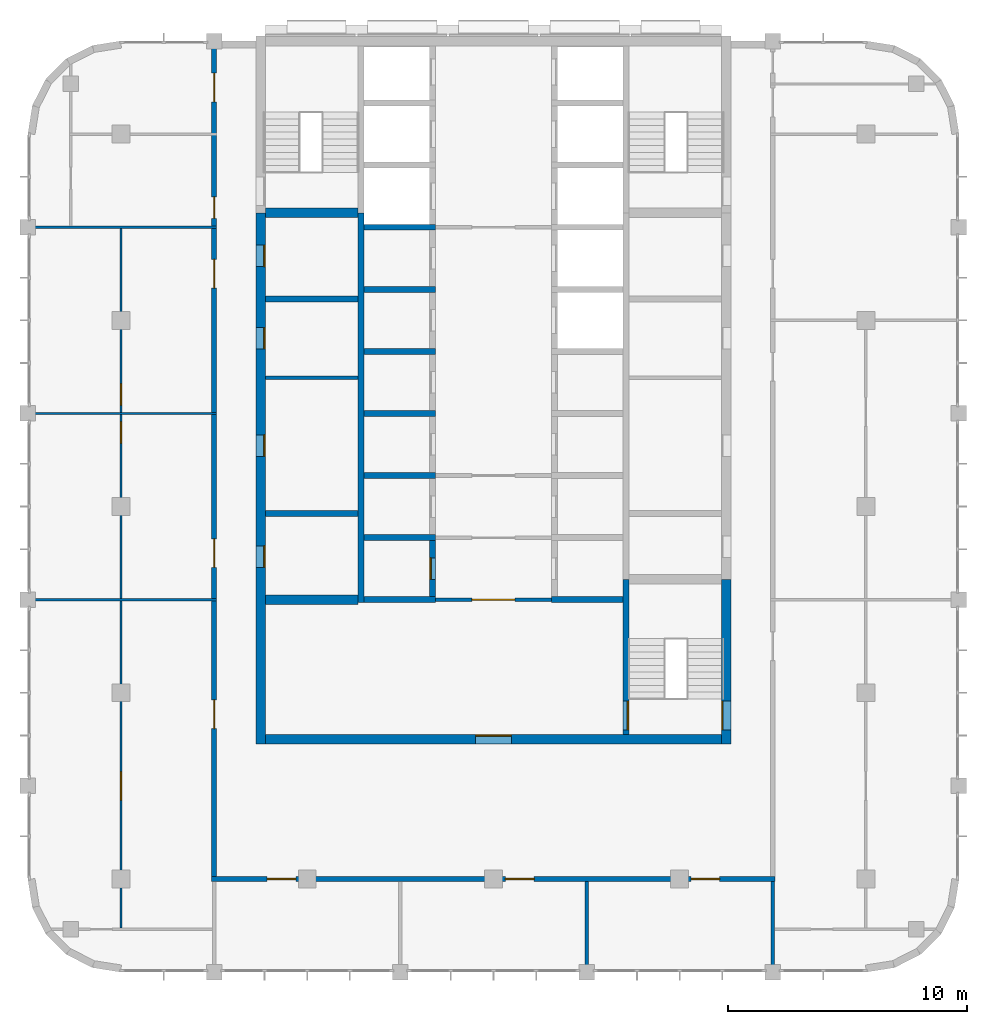
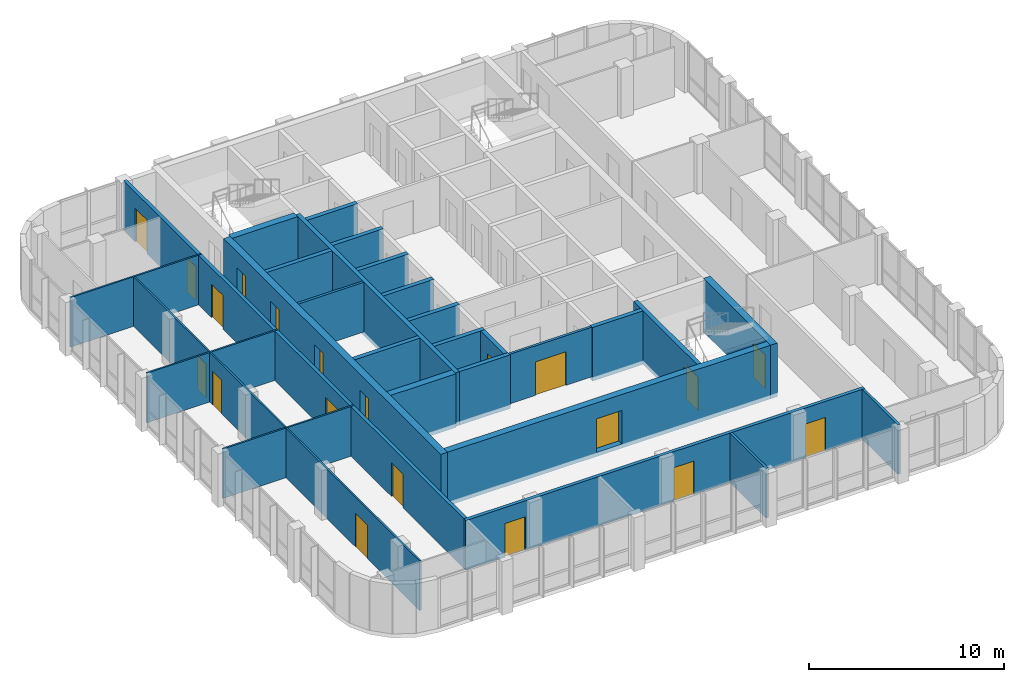
# One storey, part 9 of 17: 28 walls, 20 doors, 20 openings.
"""IFC4 building model written with IfcOpenShell, lengths in metres."""

from ifc_helpers import new_model, si_unit, direction, frame, frame_2d, origin, place, context, subcontext, project, spatial, rectangle, extrude, material, layer, layer_set, type_object, element, fill, save


model = new_model("IFC4")

# Units and contexts
model_context = context("Model", 3, precision=1e-05, world=origin(), true_north=direction((0.0, 1.0)))
body_context = subcontext(model_context, "Body", "Model", "MODEL_VIEW")
ifc_project = project(units=[si_unit("LENGTHUNIT", "METRE"), si_unit("AREAUNIT", "SQUARE_METRE"), si_unit("VOLUMEUNIT", "CUBIC_METRE"), si_unit("PLANEANGLEUNIT", "RADIAN"), si_unit("MASSUNIT", "GRAM", prefix="KILO")], contexts=[model_context])

# Site, building, storey
site_placement = place(None, origin())
site = spatial("IfcSite", under=ifc_project, at=site_placement, CompositionType="ELEMENT")
building_placement = place(site_placement, origin())
building = spatial("IfcBuilding", under=site, at=building_placement, Name="Ludao Terraces", CompositionType="ELEMENT")
storey_placement = place(building_placement, frame((0.0, 0.0, 263.0)))
storey = spatial("IfcBuildingStorey", under=building, at=storey_placement, Name="L72", CompositionType="ELEMENT", Elevation=263.0)

# Wall, openings, doors
ifc_material_1 = material(Name="Concrete C50", Category="concrete")
ifc_layer_1 = layer(ifc_material_1, 0.39990234375)
ifc_layer_set_1 = layer_set([ifc_layer_1], Name="Core wall 400 C50")
wall_type_1 = type_object("IfcWallType", Name="Core wall 400 C50", PredefinedType="SOLIDWALL", material=ifc_layer_set_1)
wall_1_placement = place(storey_placement, frame((75.25, 55.050048828125, -0.25), z_axis=(0.0, 0.0, 1.0), x_axis=(0.0, 1.0, 0.0)))
wall_1 = element("IfcWall", 1, at=wall_1_placement, inside=storey, type_object=wall_type_1, Name="Core wall L72 outer-W", PredefinedType="SOLIDWALL", context=body_context, shape_type="SweptSolid", body=[
    extrude(rectangle(XDim=22.25, YDim=0.39990234375, at=frame_2d((11.125, 0.0))), origin(), (0.0, 0.0, 1.0), 3.35009765625),
])
opening_1_placement = place(wall_1_placement, frame((7.39990234375, 0.0, 0.25)))
opening_1 = element("IfcOpeningElement", 2, at=opening_1_placement, cuts=wall_1, Name="Opening T1-016", PredefinedType="OPENING", context=body_context, shape_type="SweptSolid", body=[
    extrude(rectangle(XDim=0.89990234375, YDim=2.10009765625, at=frame_2d((0.449951171875, 1.050048828125))), frame((0.0, 0.2099609375, 0.0), z_axis=(0.0, -1.0, 0.0), x_axis=(1.0, 0.0, 0.0)), (0.0, 0.0, 1.0), 0.419921875),
])
opening_2_placement = place(wall_1_placement, frame((12.050048828125, 0.0, 0.25)))
opening_2 = element("IfcOpeningElement", 3, at=opening_2_placement, cuts=wall_1, Name="Opening T1-023", PredefinedType="OPENING", context=body_context, shape_type="SweptSolid", body=[
    extrude(rectangle(XDim=0.89990234375, YDim=2.10009765625, at=frame_2d((0.449951171875, 1.050048828125))), frame((0.0, 0.2099609375, 0.0), z_axis=(0.0, -1.0, 0.0), x_axis=(1.0, 0.0, 0.0)), (0.0, 0.0, 1.0), 0.419921875),
])
opening_3_placement = place(wall_1_placement, frame((16.550048828125, 0.0, 0.25)))
opening_3 = element("IfcOpeningElement", 4, at=opening_3_placement, cuts=wall_1, Name="Opening T1-033", PredefinedType="OPENING", context=body_context, shape_type="SweptSolid", body=[
    extrude(rectangle(XDim=0.89990234375, YDim=2.10009765625, at=frame_2d((0.449951171875, 1.050048828125))), frame((0.0, 0.2099609375, 0.0), z_axis=(0.0, -1.0, 0.0), x_axis=(1.0, 0.0, 0.0)), (0.0, 0.0, 1.0), 0.419921875),
])
opening_4_placement = place(wall_1_placement, frame((20.0, 0.0, 0.25)))
opening_4 = element("IfcOpeningElement", 5, at=opening_4_placement, cuts=wall_1, Name="Opening T1-041", PredefinedType="OPENING", context=body_context, shape_type="SweptSolid", body=[
    extrude(rectangle(XDim=0.89990234375, YDim=2.10009765625, at=frame_2d((0.449951171875, 1.050048828125))), frame((0.0, 0.2099609375, 0.0), z_axis=(0.0, -1.0, 0.0), x_axis=(1.0, 0.0, 0.0)), (0.0, 0.0, 1.0), 0.419921875),
])
ifc_material_2 = material(Name="Steel Q235", Category="steel")
door_type_1 = type_object("IfcDoorType", Name="INT Riser door 900", OperationType="SINGLE_SWING_LEFT", PredefinedType="DOOR", material=ifc_material_2)
door_1_placement = place(opening_1_placement, origin())
door_1 = element("IfcDoor", 6, at=door_1_placement, inside=storey, type_object=door_type_1, Name="DOOR 016", OperationType="SINGLE_SWING_RIGHT", OverallHeight=2.10009765625, OverallWidth=0.89990234375, PredefinedType="DOOR", context=body_context, shape_type="SweptSolid", body=[
    extrude(rectangle(XDim=0.89990234375, YDim=2.10009765625, at=frame_2d((0.449951171875, 1.050048828125))), frame((0.0, -0.134765625, 0.0), z_axis=(0.0, -1.0, 0.0), x_axis=(1.0, 0.0, 0.0)), (0.0, 0.0, 1.0), 0.050048828125),
])
fill(opening_1, door_1)
door_2_placement = place(opening_4_placement, origin())
door_2 = element("IfcDoor", 7, at=door_2_placement, inside=storey, type_object=door_type_1, Name="DOOR 041", OperationType="SINGLE_SWING_LEFT", OverallHeight=2.10009765625, OverallWidth=0.89990234375, PredefinedType="DOOR", context=body_context, shape_type="SweptSolid", body=[
    extrude(rectangle(XDim=0.89990234375, YDim=2.10009765625, at=frame_2d((0.449951171875, 1.050048828125))), frame((0.0, -0.134765625, 0.0), z_axis=(0.0, -1.0, 0.0), x_axis=(1.0, 0.0, 0.0)), (0.0, 0.0, 1.0), 0.050048828125),
])
fill(opening_4, door_2)
ifc_material_3 = material(Name="Timber door leaf", Category="wood")
door_type_2 = type_object("IfcDoorType", Name="INT Room door 900", OperationType="SINGLE_SWING_LEFT", PredefinedType="DOOR", material=ifc_material_3)
door_3_placement = place(opening_2_placement, origin())
door_3 = element("IfcDoor", 8, at=door_3_placement, inside=storey, type_object=door_type_2, Name="DOOR 023", OperationType="SINGLE_SWING_RIGHT", OverallHeight=2.10009765625, OverallWidth=0.89990234375, PredefinedType="DOOR", context=body_context, shape_type="SweptSolid", body=[
    extrude(rectangle(XDim=0.89990234375, YDim=2.10009765625, at=frame_2d((0.449951171875, 1.050048828125))), frame((0.0, -0.134765625, 0.0), z_axis=(0.0, -1.0, 0.0), x_axis=(1.0, 0.0, 0.0)), (0.0, 0.0, 1.0), 0.050048828125),
])
fill(opening_2, door_3)
door_4_placement = place(opening_3_placement, origin())
door_4 = element("IfcDoor", 9, at=door_4_placement, inside=storey, type_object=door_type_2, Name="DOOR 033", OperationType="SINGLE_SWING_LEFT", OverallHeight=2.10009765625, OverallWidth=0.89990234375, PredefinedType="DOOR", context=body_context, shape_type="SweptSolid", body=[
    extrude(rectangle(XDim=0.89990234375, YDim=2.10009765625, at=frame_2d((0.449951171875, 1.050048828125))), frame((0.0, -0.134765625, 0.0), z_axis=(0.0, -1.0, 0.0), x_axis=(1.0, 0.0, 0.0)), (0.0, 0.0, 1.0), 0.050048828125),
])
fill(opening_3, door_4)

# Wall, opening, door
wall_2_placement = place(storey_placement, frame((94.75, 55.050048828125, -0.25), z_axis=(0.0, 0.0, 1.0), x_axis=(0.0, 1.0, 0.0)))
wall_2 = element("IfcWall", 10, at=wall_2_placement, inside=storey, type_object=wall_type_1, Name="Core wall L72 outer-E-S3", PredefinedType="SOLIDWALL", context=body_context, shape_type="SweptSolid", body=[
    extrude(rectangle(XDim=6.89990234375, YDim=0.39990234375, at=frame_2d((3.449951171875, 0.0))), origin(), (0.0, 0.0, 1.0), 3.35009765625),
])
opening_5_placement = place(wall_2_placement, frame((0.60009765625, 0.0, 0.25)))
opening_5 = element("IfcOpeningElement", 11, at=opening_5_placement, cuts=wall_2, Name="Opening T1-010", PredefinedType="OPENING", context=body_context, shape_type="SweptSolid", body=[
    extrude(rectangle(XDim=1.199951171875, YDim=2.10009765625, at=frame_2d((0.60009765625, 1.050048828125))), frame((0.0, 0.2099609375, 0.0), z_axis=(0.0, -1.0, 0.0), x_axis=(1.0, 0.0, 0.0)), (0.0, 0.0, 1.0), 0.419921875),
])
door_type_3 = type_object("IfcDoorType", Name="INT Stair door 1200", OperationType="DOUBLE_DOOR_SINGLE_SWING", PredefinedType="DOOR", material=ifc_material_2)
door_5_placement = place(opening_5_placement, origin())
door_5 = element("IfcDoor", 12, at=door_5_placement, inside=storey, type_object=door_type_3, Name="DOOR 010", OperationType="DOUBLE_DOOR_SINGLE_SWING", OverallHeight=2.10009765625, OverallWidth=1.199951171875, PredefinedType="DOOR", context=body_context, shape_type="SweptSolid", body=[
    extrude(rectangle(XDim=1.199951171875, YDim=2.10009765625, at=frame_2d((0.60009765625, 1.050048828125))), frame((0.0, 0.18505859375, 0.0), z_axis=(0.0, -1.0, 0.0), x_axis=(1.0, 0.0, 0.0)), (0.0, 0.0, 1.0), 0.050048828125),
])
fill(opening_5, door_5)

wall_3_placement = place(storey_placement, frame((75.449951171875, 55.25, -0.25), z_axis=(0.0, 0.0, 1.0), x_axis=(1.0, 0.0, 0.0)))
wall_3 = element("IfcWall", 13, at=wall_3_placement, inside=storey, type_object=wall_type_1, Name="Core wall L72 outer-S", PredefinedType="SOLIDWALL", context=body_context, shape_type="SweptSolid", body=[
    extrude(rectangle(XDim=19.10009765625, YDim=0.39990234375, at=frame_2d((9.550048828125, 0.0))), origin(), (0.0, 0.0, 1.0), 3.35009765625),
])
opening_6_placement = place(wall_3_placement, frame((8.800048828125, 0.0, 0.25)))
opening_6 = element("IfcOpeningElement", 14, at=opening_6_placement, cuts=wall_3, Name="Opening T1-008", PredefinedType="OPENING", context=body_context, shape_type="SweptSolid", body=[
    extrude(rectangle(XDim=1.5, YDim=2.10009765625, at=frame_2d((0.75, 1.050048828125))), frame((0.0, 0.2099609375, 0.0), z_axis=(0.0, -1.0, 0.0), x_axis=(1.0, 0.0, 0.0)), (0.0, 0.0, 1.0), 0.419921875),
])
door_type_4 = type_object("IfcDoorType", Name="INT Lobby door 1500", OperationType="DOUBLE_DOOR_SINGLE_SWING", PredefinedType="DOOR", material=ifc_material_2)
door_6_placement = place(opening_6_placement, origin())
door_6 = element("IfcDoor", 15, at=door_6_placement, inside=storey, type_object=door_type_4, Name="DOOR 008", OperationType="DOUBLE_DOOR_SINGLE_SWING", OverallHeight=2.10009765625, OverallWidth=1.5, PredefinedType="DOOR", context=body_context, shape_type="SweptSolid", body=[
    extrude(rectangle(XDim=1.5, YDim=2.10009765625, at=frame_2d((0.75, 1.050048828125))), frame((0.0, 0.18505859375, 0.0), z_axis=(0.0, -1.0, 0.0), x_axis=(1.0, 0.0, 0.0)), (0.0, 0.0, 1.0), 0.050048828125),
])
fill(opening_6, door_6)

ifc_material_4 = material(Name="Fire-rated gypsum plasterboard", Category="gypsum")
ifc_layer_2 = layer(ifc_material_4, 0.012451171875, Category="gypsum")
ifc_material_5 = material(Name="Mineral wool")
ifc_layer_3 = layer(ifc_material_5, 0.10009765625, Name="insulation")
ifc_layer_4 = layer(ifc_material_2, 0.02490234375, Name="stud")
ifc_layer_5 = layer(ifc_material_4, 0.012451171875, Category="gypsum")
ifc_layer_set_2 = layer_set([ifc_layer_2, ifc_layer_3, ifc_layer_4, ifc_layer_5], Name="INT Core partition 150")
wall_type_2 = type_object("IfcWallType", Name="INT Core partition 150", PredefinedType="PARTITIONING", material=ifc_layer_set_2)
wall_4_placement = place(storey_placement, frame((82.5751953125, 61.10009765625, 0.0), z_axis=(0.0, 0.0, 1.0), x_axis=(1.0, 0.0, 0.0)))
wall_4 = element("IfcWall", 16, at=wall_4_placement, inside=storey, type_object=wall_type_2, Name="PW-L72-PW004", PredefinedType="PARTITIONING", context=body_context, shape_type="SweptSolid", body=[
    extrude(rectangle(XDim=4.849853515625, YDim=0.14990234375, at=frame_2d((2.4248046875, 0.0))), origin(), (0.0, 0.0, 1.0), 3.10009765625),
])
opening_7_placement = place(wall_4_placement, frame((1.52490234375, 0.0, 0.0)))
opening_7 = element("IfcOpeningElement", 17, at=opening_7_placement, cuts=wall_4, Name="Opening T1-013", PredefinedType="OPENING", context=body_context, shape_type="SweptSolid", body=[
    extrude(rectangle(XDim=1.800048828125, YDim=2.10009765625, at=frame_2d((0.89990234375, 1.050048828125))), frame((0.0, 0.0849609375, 0.0), z_axis=(0.0, -1.0, 0.0), x_axis=(1.0, 0.0, 0.0)), (0.0, 0.0, 1.0), 0.169921875),
])
door_type_5 = type_object("IfcDoorType", Name="INT Fire lobby door 1800", OperationType="DOUBLE_DOOR_SINGLE_SWING", PredefinedType="DOOR", material=ifc_material_2)
door_7_placement = place(opening_7_placement, origin())
door_7 = element("IfcDoor", 18, at=door_7_placement, inside=storey, type_object=door_type_5, Name="DOOR 013", OperationType="DOUBLE_DOOR_SINGLE_SWING", OverallHeight=2.10009765625, OverallWidth=1.800048828125, PredefinedType="DOOR", context=body_context, shape_type="SweptSolid", body=[
    extrude(rectangle(XDim=1.800048828125, YDim=2.10009765625, at=frame_2d((0.89990234375, 1.050048828125))), frame((0.0, 0.02490234375, 0.0), z_axis=(0.0, -1.0, 0.0), x_axis=(1.0, 0.0, 0.0)), (0.0, 0.0, 1.0), 0.050048828125),
])
fill(opening_7, door_7)

# Wall
wall_5_placement = place(storey_placement, frame((75.4501953125, 70.39990234375, 0.0), z_axis=(0.0, 0.0, 1.0), x_axis=(1.0, 0.0, 0.0)))
element("IfcWall", 19, at=wall_5_placement, inside=storey, type_object=wall_type_2, Name="PW-L72-PW009", PredefinedType="PARTITIONING", context=body_context, shape_type="SweptSolid", body=[
    extrude(rectangle(XDim=3.875, YDim=0.14990234375, at=frame_2d((1.9375, 0.0))), origin(), (0.0, 0.0, 1.0), 3.10009765625),
])

# Wall, openings, doors
ifc_material_6 = material(Name="Autoclaved aerated concrete block B06 A3.5", Category="concrete")
ifc_layer_6 = layer(ifc_material_6, 0.199951171875)
ifc_layer_set_3 = layer_set([ifc_layer_6], Name="INT Entrance wall 200")
wall_type_3 = type_object("IfcWallType", Name="INT Entrance wall 200", PredefinedType="PARTITIONING", material=ifc_layer_set_3)
wall_6_placement = place(storey_placement, frame((73.2001953125, 49.39990234375, 0.0), z_axis=(0.0, 0.0, 1.0), x_axis=(1.0, 0.0, 0.0)))
wall_6 = element("IfcWall", 20, at=wall_6_placement, inside=storey, type_object=wall_type_3, Name="PW-L72-PW002", PredefinedType="PARTITIONING", context=body_context, shape_type="SweptSolid", body=[
    extrude(rectangle(XDim=23.599853515625, YDim=0.199951171875, at=frame_2d((11.7998046875, 0.0))), origin(), (0.0, 0.0, 1.0), 3.10009765625),
])
opening_8_placement = place(wall_6_placement, frame((2.324951171875, 0.0, 0.0)))
opening_8 = element("IfcOpeningElement", 21, at=opening_8_placement, cuts=wall_6, Name="Opening T1-003", PredefinedType="OPENING", context=body_context, shape_type="SweptSolid", body=[
    extrude(rectangle(XDim=1.199951171875, YDim=2.10009765625, at=frame_2d((0.60009765625, 1.050048828125))), frame((0.0, 0.10986328125, 0.0), z_axis=(0.0, -1.0, 0.0), x_axis=(1.0, 0.0, 0.0)), (0.0, 0.0, 1.0), 0.219970703125),
])
opening_9_placement = place(wall_6_placement, frame((12.2998046875, 0.0, 0.0)))
opening_9 = element("IfcOpeningElement", 22, at=opening_9_placement, cuts=wall_6, Name="Opening T1-004", PredefinedType="OPENING", context=body_context, shape_type="SweptSolid", body=[
    extrude(rectangle(XDim=1.199951171875, YDim=2.10009765625, at=frame_2d((0.60009765625, 1.050048828125))), frame((0.0, 0.10986328125, 0.0), z_axis=(0.0, -1.0, 0.0), x_axis=(1.0, 0.0, 0.0)), (0.0, 0.0, 1.0), 0.219970703125),
])
opening_10_placement = place(wall_6_placement, frame((20.074951171875, 0.0, 0.0)))
opening_10 = element("IfcOpeningElement", 23, at=opening_10_placement, cuts=wall_6, Name="Opening T1-005", PredefinedType="OPENING", context=body_context, shape_type="SweptSolid", body=[
    extrude(rectangle(XDim=1.199951171875, YDim=2.10009765625, at=frame_2d((0.60009765625, 1.050048828125))), frame((0.0, 0.10986328125, 0.0), z_axis=(0.0, -1.0, 0.0), x_axis=(1.0, 0.0, 0.0)), (0.0, 0.0, 1.0), 0.219970703125),
])
door_type_6 = type_object("IfcDoorType", Name="INT Double door 1200", OperationType="DOUBLE_DOOR_SINGLE_SWING", PredefinedType="DOOR", material=ifc_material_3)
door_8_placement = place(opening_8_placement, origin())
door_8 = element("IfcDoor", 24, at=door_8_placement, inside=storey, type_object=door_type_6, Name="DOOR 003", OperationType="DOUBLE_DOOR_SINGLE_SWING", OverallHeight=2.10009765625, OverallWidth=1.199951171875, PredefinedType="DOOR", context=body_context, shape_type="SweptSolid", body=[
    extrude(rectangle(XDim=1.199951171875, YDim=2.10009765625, at=frame_2d((0.60009765625, 1.050048828125))), frame((0.0, 0.02490234375, 0.0), z_axis=(0.0, -1.0, 0.0), x_axis=(1.0, 0.0, 0.0)), (0.0, 0.0, 1.0), 0.050048828125),
])
fill(opening_8, door_8)
door_9_placement = place(opening_9_placement, origin())
door_9 = element("IfcDoor", 25, at=door_9_placement, inside=storey, type_object=door_type_6, Name="DOOR 004", OperationType="DOUBLE_DOOR_SINGLE_SWING", OverallHeight=2.10009765625, OverallWidth=1.199951171875, PredefinedType="DOOR", context=body_context, shape_type="SweptSolid", body=[
    extrude(rectangle(XDim=1.199951171875, YDim=2.10009765625, at=frame_2d((0.60009765625, 1.050048828125))), frame((0.0, 0.02490234375, 0.0), z_axis=(0.0, -1.0, 0.0), x_axis=(1.0, 0.0, 0.0)), (0.0, 0.0, 1.0), 0.050048828125),
])
fill(opening_9, door_9)
door_10_placement = place(opening_10_placement, origin())
door_10 = element("IfcDoor", 26, at=door_10_placement, inside=storey, type_object=door_type_6, Name="DOOR 005", OperationType="DOUBLE_DOOR_SINGLE_SWING", OverallHeight=2.10009765625, OverallWidth=1.199951171875, PredefinedType="DOOR", context=body_context, shape_type="SweptSolid", body=[
    extrude(rectangle(XDim=1.199951171875, YDim=2.10009765625, at=frame_2d((0.60009765625, 1.050048828125))), frame((0.0, 0.02490234375, 0.0), z_axis=(0.0, -1.0, 0.0), x_axis=(1.0, 0.0, 0.0)), (0.0, 0.0, 1.0), 0.050048828125),
])
fill(opening_10, door_10)

wall_7_placement = place(storey_placement, frame((73.300048828125, 49.5, 0.0), z_axis=(0.0, 0.0, 1.0), x_axis=(0.0, 1.0, 0.0)))
wall_7 = element("IfcWall", 27, at=wall_7_placement, inside=storey, type_object=wall_type_3, Name="PW-L72-PW020", PredefinedType="PARTITIONING", context=body_context, shape_type="SweptSolid", body=[
    extrude(rectangle(XDim=34.864990234375, YDim=0.199951171875, at=frame_2d((17.4326171875, 0.0))), origin(), (0.0, 0.0, 1.0), 3.10009765625),
])
opening_11_placement = place(wall_7_placement, frame((6.2001953125, 0.0, 0.0)))
opening_11 = element("IfcOpeningElement", 28, at=opening_11_placement, cuts=wall_7, Name="Opening T1-011", PredefinedType="OPENING", context=body_context, shape_type="SweptSolid", body=[
    extrude(rectangle(XDim=1.199951171875, YDim=2.10009765625, at=frame_2d((0.60009765625, 1.050048828125))), frame((0.0, 0.10986328125, 0.0), z_axis=(0.0, -1.0, 0.0), x_axis=(1.0, 0.0, 0.0)), (0.0, 0.0, 1.0), 0.219970703125),
])
opening_12_placement = place(wall_7_placement, frame((12.9501953125, 0.0, 0.0)))
opening_12 = element("IfcOpeningElement", 29, at=opening_12_placement, cuts=wall_7, Name="Opening T1-017", PredefinedType="OPENING", context=body_context, shape_type="SweptSolid", body=[
    extrude(rectangle(XDim=1.199951171875, YDim=2.10009765625, at=frame_2d((0.60009765625, 1.050048828125))), frame((0.0, 0.10986328125, 0.0), z_axis=(0.0, -1.0, 0.0), x_axis=(1.0, 0.0, 0.0)), (0.0, 0.0, 1.0), 0.219970703125),
])
opening_13_placement = place(wall_7_placement, frame((24.650146484375, 0.0, 0.0)))
opening_13 = element("IfcOpeningElement", 30, at=opening_13_placement, cuts=wall_7, Name="Opening T1-037", PredefinedType="OPENING", context=body_context, shape_type="SweptSolid", body=[
    extrude(rectangle(XDim=1.199951171875, YDim=2.10009765625, at=frame_2d((0.60009765625, 1.050048828125))), frame((0.0, 0.10986328125, 0.0), z_axis=(0.0, -1.0, 0.0), x_axis=(1.0, 0.0, 0.0)), (0.0, 0.0, 1.0), 0.219970703125),
])
opening_14_placement = place(wall_7_placement, frame((27.5712890625, 0.0, 0.0)))
opening_14 = element("IfcOpeningElement", 31, at=opening_14_placement, cuts=wall_7, Name="Opening T1-044", PredefinedType="OPENING", context=body_context, shape_type="SweptSolid", body=[
    extrude(rectangle(XDim=0.89990234375, YDim=2.10009765625, at=frame_2d((0.449951171875, 1.050048828125))), frame((0.0, 0.10986328125, 0.0), z_axis=(0.0, -1.0, 0.0), x_axis=(1.0, 0.0, 0.0)), (0.0, 0.0, 1.0), 0.219970703125),
])
opening_15_placement = place(wall_7_placement, frame((32.4501953125, 0.0, 0.0)))
opening_15 = element("IfcOpeningElement", 32, at=opening_15_placement, cuts=wall_7, Name="Opening T1-053", PredefinedType="OPENING", context=body_context, shape_type="SweptSolid", body=[
    extrude(rectangle(XDim=1.199951171875, YDim=2.10009765625, at=frame_2d((0.60009765625, 1.050048828125))), frame((0.0, 0.10986328125, 0.0), z_axis=(0.0, -1.0, 0.0), x_axis=(1.0, 0.0, 0.0)), (0.0, 0.0, 1.0), 0.219970703125),
])
door_11_placement = place(opening_11_placement, origin())
door_11 = element("IfcDoor", 33, at=door_11_placement, inside=storey, type_object=door_type_6, Name="DOOR 011", OperationType="DOUBLE_DOOR_SINGLE_SWING", OverallHeight=2.10009765625, OverallWidth=1.199951171875, PredefinedType="DOOR", context=body_context, shape_type="SweptSolid", body=[
    extrude(rectangle(XDim=1.199951171875, YDim=2.10009765625, at=frame_2d((0.60009765625, 1.050048828125))), frame((0.0, 0.02490234375, 0.0), z_axis=(0.0, -1.0, 0.0), x_axis=(1.0, 0.0, 0.0)), (0.0, 0.0, 1.0), 0.050048828125),
])
fill(opening_11, door_11)
door_12_placement = place(opening_12_placement, origin())
door_12 = element("IfcDoor", 34, at=door_12_placement, inside=storey, type_object=door_type_6, Name="DOOR 017", OperationType="DOUBLE_DOOR_SINGLE_SWING", OverallHeight=2.10009765625, OverallWidth=1.199951171875, PredefinedType="DOOR", context=body_context, shape_type="SweptSolid", body=[
    extrude(rectangle(XDim=1.199951171875, YDim=2.10009765625, at=frame_2d((0.60009765625, 1.050048828125))), frame((0.0, 0.02490234375, 0.0), z_axis=(0.0, -1.0, 0.0), x_axis=(1.0, 0.0, 0.0)), (0.0, 0.0, 1.0), 0.050048828125),
])
fill(opening_12, door_12)
door_13_placement = place(opening_13_placement, origin())
door_13 = element("IfcDoor", 35, at=door_13_placement, inside=storey, type_object=door_type_6, Name="DOOR 037", OperationType="DOUBLE_DOOR_SINGLE_SWING", OverallHeight=2.10009765625, OverallWidth=1.199951171875, PredefinedType="DOOR", context=body_context, shape_type="SweptSolid", body=[
    extrude(rectangle(XDim=1.199951171875, YDim=2.10009765625, at=frame_2d((0.60009765625, 1.050048828125))), frame((0.0, 0.02490234375, 0.0), z_axis=(0.0, -1.0, 0.0), x_axis=(1.0, 0.0, 0.0)), (0.0, 0.0, 1.0), 0.050048828125),
])
fill(opening_13, door_13)
door_14_placement = place(opening_15_placement, origin())
door_14 = element("IfcDoor", 36, at=door_14_placement, inside=storey, type_object=door_type_6, Name="DOOR 053", OperationType="DOUBLE_DOOR_SINGLE_SWING", OverallHeight=2.10009765625, OverallWidth=1.199951171875, PredefinedType="DOOR", context=body_context, shape_type="SweptSolid", body=[
    extrude(rectangle(XDim=1.199951171875, YDim=2.10009765625, at=frame_2d((0.60009765625, 1.050048828125))), frame((0.0, 0.02490234375, 0.0), z_axis=(0.0, -1.0, 0.0), x_axis=(1.0, 0.0, 0.0)), (0.0, 0.0, 1.0), 0.050048828125),
])
fill(opening_15, door_14)
door_15_placement = place(opening_14_placement, origin())
door_15 = element("IfcDoor", 37, at=door_15_placement, inside=storey, type_object=door_type_2, Name="DOOR 044", OperationType="SINGLE_SWING_LEFT", OverallHeight=2.10009765625, OverallWidth=0.89990234375, PredefinedType="DOOR", context=body_context, shape_type="SweptSolid", body=[
    extrude(rectangle(XDim=0.89990234375, YDim=2.10009765625, at=frame_2d((0.449951171875, 1.050048828125))), frame((0.0, 0.02490234375, 0.0), z_axis=(0.0, -1.0, 0.0), x_axis=(1.0, 0.0, 0.0)), (0.0, 0.0, 1.0), 0.050048828125),
])
fill(opening_14, door_15)

# Walls
ifc_material_7 = material(Name="Gypsum plasterboard", Category="gypsum")
ifc_layer_7 = layer(ifc_material_7, 0.012451171875, Category="gypsum")
ifc_layer_8 = layer(ifc_material_5, 0.06005859375, Name="insulation")
ifc_layer_9 = layer(ifc_material_2, 0.014892578125, Name="stud")
ifc_layer_10 = layer(ifc_material_7, 0.012451171875, Category="gypsum")
ifc_layer_set_4 = layer_set([ifc_layer_7, ifc_layer_8, ifc_layer_9, ifc_layer_10], Name="INT Partition 100")
wall_type_4 = type_object("IfcWallType", Name="INT Partition 100", PredefinedType="PARTITIONING", material=ifc_layer_set_4)
for number, where, z_axis, x_axis, name in (
    (38, (65.635009765625, 61.10009765625, 0.0), (0.0, 0.0, 1.0), (1.0, 0.0, 0.0), "PW-L72-PW003"),
    (39, (65.635009765625, 68.89990234375, 0.0), (0.0, 0.0, 1.0), (1.0, 0.0, 0.0), "PW-L72-PW008"),
    (40, (65.635009765625, 76.699951171875, 0.0), (0.0, 0.0, 1.0), (1.0, 0.0, 0.0), "PW-L72-PW012"),
):
    element("IfcWall", number, at=place(storey_placement, frame(where, z_axis=z_axis, x_axis=x_axis)), inside=storey, type_object=wall_type_4, Name=name, PredefinedType="PARTITIONING", context=body_context, shape_type="SweptSolid", body=[
        extrude(rectangle(XDim=7.76513671875, YDim=0.10009765625, at=frame_2d((3.882568359375, 0.0))), origin(), (0.0, 0.0, 1.0), 3.10009765625),
    ])

# Wall, openings, doors
wall_8_placement = place(storey_placement, frame((69.39990234375, 47.35009765625, 0.0), z_axis=(0.0, 0.0, 1.0), x_axis=(0.0, 1.0, 0.0)))
wall_8 = element("IfcWall", 41, at=wall_8_placement, inside=storey, type_object=wall_type_4, Name="PW-L72-PW018", PredefinedType="PARTITIONING", context=body_context, shape_type="SweptSolid", body=[
    extrude(rectangle(XDim=29.300048828125, YDim=0.10009765625, at=frame_2d((14.64990234375, 0.0))), origin(), (0.0, 0.0, 1.0), 3.10009765625),
])
opening_16_placement = place(wall_8_placement, frame((5.35009765625, 0.0, 0.0)))
opening_16 = element("IfcOpeningElement", 42, at=opening_16_placement, cuts=wall_8, Name="Opening T1-006", PredefinedType="OPENING", context=body_context, shape_type="SweptSolid", body=[
    extrude(rectangle(XDim=1.199951171875, YDim=2.10009765625, at=frame_2d((0.60009765625, 1.050048828125))), frame((0.0, 0.06005859375, 0.0), z_axis=(0.0, -1.0, 0.0), x_axis=(1.0, 0.0, 0.0)), (0.0, 0.0, 1.0), 0.1201171875),
])
opening_17_placement = place(wall_8_placement, frame((20.300048828125, 0.0, 0.0)))
opening_17 = element("IfcOpeningElement", 43, at=opening_17_placement, cuts=wall_8, Name="Opening T1-027", PredefinedType="OPENING", context=body_context, shape_type="SweptSolid", body=[
    extrude(rectangle(XDim=0.89990234375, YDim=2.10009765625, at=frame_2d((0.449951171875, 1.050048828125))), frame((0.0, 0.06005859375, 0.0), z_axis=(0.0, -1.0, 0.0), x_axis=(1.0, 0.0, 0.0)), (0.0, 0.0, 1.0), 0.1201171875),
])
opening_18_placement = place(wall_8_placement, frame((21.89990234375, 0.0, 0.0)))
opening_18 = element("IfcOpeningElement", 44, at=opening_18_placement, cuts=wall_8, Name="Opening T1-029", PredefinedType="OPENING", context=body_context, shape_type="SweptSolid", body=[
    extrude(rectangle(XDim=0.89990234375, YDim=2.10009765625, at=frame_2d((0.449951171875, 1.050048828125))), frame((0.0, 0.06005859375, 0.0), z_axis=(0.0, -1.0, 0.0), x_axis=(1.0, 0.0, 0.0)), (0.0, 0.0, 1.0), 0.1201171875),
])
door_16_placement = place(opening_16_placement, origin())
door_16 = element("IfcDoor", 45, at=door_16_placement, inside=storey, type_object=door_type_6, Name="DOOR 006", OperationType="DOUBLE_DOOR_SINGLE_SWING", OverallHeight=2.10009765625, OverallWidth=1.199951171875, PredefinedType="DOOR", context=body_context, shape_type="SweptSolid", body=[
    extrude(rectangle(XDim=1.199951171875, YDim=2.10009765625, at=frame_2d((0.60009765625, 1.050048828125))), frame((0.0, 0.02490234375, 0.0), z_axis=(0.0, -1.0, 0.0), x_axis=(1.0, 0.0, 0.0)), (0.0, 0.0, 1.0), 0.050048828125),
])
fill(opening_16, door_16)
door_17_placement = place(opening_17_placement, origin())
door_17 = element("IfcDoor", 46, at=door_17_placement, inside=storey, type_object=door_type_2, Name="DOOR 027", OperationType="SINGLE_SWING_LEFT", OverallHeight=2.10009765625, OverallWidth=0.89990234375, PredefinedType="DOOR", context=body_context, shape_type="SweptSolid", body=[
    extrude(rectangle(XDim=0.89990234375, YDim=2.10009765625, at=frame_2d((0.449951171875, 1.050048828125))), frame((0.0, 0.02490234375, 0.0), z_axis=(0.0, -1.0, 0.0), x_axis=(1.0, 0.0, 0.0)), (0.0, 0.0, 1.0), 0.050048828125),
])
fill(opening_17, door_17)
door_18_placement = place(opening_18_placement, origin())
door_18 = element("IfcDoor", 47, at=door_18_placement, inside=storey, type_object=door_type_2, Name="DOOR 029", OperationType="SINGLE_SWING_RIGHT", OverallHeight=2.10009765625, OverallWidth=0.89990234375, PredefinedType="DOOR", context=body_context, shape_type="SweptSolid", body=[
    extrude(rectangle(XDim=0.89990234375, YDim=2.10009765625, at=frame_2d((0.449951171875, 1.050048828125))), frame((0.0, 0.02490234375, 0.0), z_axis=(0.0, -1.0, 0.0), x_axis=(1.0, 0.0, 0.0)), (0.0, 0.0, 1.0), 0.050048828125),
])
fill(opening_18, door_18)

# Walls
ifc_layer_11 = layer(ifc_material_6, 0.14990234375)
ifc_layer_set_5 = layer_set([ifc_layer_11], Name="INT Party wall 150")
wall_type_5 = type_object("IfcWallType", Name="INT Party wall 150", PredefinedType="PARTITIONING", material=ifc_layer_set_5)
for number, where, z_axis, x_axis, name in (
    (48, (88.89990234375, 45.635009765625, 0.0), (0.0, 0.0, 1.0), (0.0, 1.0, 0.0), "PW-L72-PW022"),
    (49, (96.699951171875, 45.635009765625, 0.0), (0.0, 0.0, 1.0), (0.0, 1.0, 0.0), "PW-L72-PW023"),
):
    element("IfcWall", number, at=place(storey_placement, frame(where, z_axis=z_axis, x_axis=x_axis)), inside=storey, type_object=wall_type_5, Name=name, PredefinedType="PARTITIONING", context=body_context, shape_type="SweptSolid", body=[
        extrude(rectangle(XDim=3.6650390625, YDim=0.14990234375, at=frame_2d((1.83251953125, 0.0))), origin(), (0.0, 0.0, 1.0), 3.10009765625),
    ])
ifc_layer_12 = layer(ifc_material_1, 0.25)
ifc_layer_set_6 = layer_set([ifc_layer_12], Name="Shaft wall 250 C50")
wall_type_6 = type_object("IfcWallType", Name="Shaft wall 250 C50", PredefinedType="SOLIDWALL", material=ifc_layer_set_6)
wall_9_placement = place(storey_placement, frame((79.449951171875, 60.97509765625, -0.25), z_axis=(0.0, 0.0, 1.0), x_axis=(0.0, 1.0, 0.0)))
element("IfcWall", 50, at=wall_9_placement, inside=storey, type_object=wall_type_6, Name="Core wall L72 back-W", PredefinedType="SOLIDWALL", context=body_context, shape_type="SweptSolid", body=[
    extrude(rectangle(XDim=16.324951171875, YDim=0.25, at=frame_2d((8.16259765625, 0.0))), origin(), (0.0, 0.0, 1.0), 3.35009765625),
])

# Wall, opening, door
wall_10_placement = place(storey_placement, frame((90.550048828125, 55.449951171875, -0.25), z_axis=(0.0, 0.0, 1.0), x_axis=(0.0, 1.0, 0.0)))
wall_10 = element("IfcWall", 51, at=wall_10_placement, inside=storey, type_object=wall_type_6, Name="Core wall L72 back-E-S3", PredefinedType="SOLIDWALL", context=body_context, shape_type="SweptSolid", body=[
    extrude(rectangle(XDim=6.5, YDim=0.25, at=frame_2d((3.25, 0.0))), origin(), (0.0, 0.0, 1.0), 3.35009765625),
])
opening_19_placement = place(wall_10_placement, frame((0.199951171875, 0.0, 0.25)))
opening_19 = element("IfcOpeningElement", 52, at=opening_19_placement, cuts=wall_10, Name="Opening T1-009", PredefinedType="OPENING", context=body_context, shape_type="SweptSolid", body=[
    extrude(rectangle(XDim=1.199951171875, YDim=2.10009765625, at=frame_2d((0.60009765625, 1.050048828125))), frame((0.0, 0.135009765625, 0.0), z_axis=(0.0, -1.0, 0.0), x_axis=(1.0, 0.0, 0.0)), (0.0, 0.0, 1.0), 0.27001953125),
])
door_19_placement = place(opening_19_placement, origin())
door_19 = element("IfcDoor", 53, at=door_19_placement, inside=storey, type_object=door_type_3, Name="DOOR 009", OperationType="DOUBLE_DOOR_SINGLE_SWING", OverallHeight=2.10009765625, OverallWidth=1.199951171875, PredefinedType="DOOR", context=body_context, shape_type="SweptSolid", body=[
    extrude(rectangle(XDim=1.199951171875, YDim=2.10009765625, at=frame_2d((0.60009765625, 1.050048828125))), frame((0.0, -0.06005859375, 0.0), z_axis=(0.0, -1.0, 0.0), x_axis=(1.0, 0.0, 0.0)), (0.0, 0.0, 1.0), 0.050048828125),
])
fill(opening_19, door_19)

# Wall
wall_11_placement = place(storey_placement, frame((79.574951171875, 61.10009765625, -0.25), z_axis=(0.0, 0.0, 1.0), x_axis=(1.0, 0.0, 0.0)))
element("IfcWall", 54, at=wall_11_placement, inside=storey, type_object=wall_type_6, Name="Core wall L72 div-W1", PredefinedType="SOLIDWALL", context=body_context, shape_type="SweptSolid", body=[
    extrude(rectangle(XDim=3.0, YDim=0.25, at=frame_2d((1.5, 0.0))), origin(), (0.0, 0.0, 1.0), 3.35009765625),
])

# Wall, opening, door
wall_12_placement = place(storey_placement, frame((82.449951171875, 61.22509765625, -0.25), z_axis=(0.0, 0.0, 1.0), x_axis=(0.0, 1.0, 0.0)))
wall_12 = element("IfcWall", 55, at=wall_12_placement, inside=storey, type_object=wall_type_6, Name="Core wall L72 front-W1", PredefinedType="SOLIDWALL", context=body_context, shape_type="SweptSolid", body=[
    extrude(rectangle(XDim=2.349853515625, YDim=0.25, at=frame_2d((1.1748046875, 0.0))), origin(), (0.0, 0.0, 1.0), 3.35009765625),
])
opening_20_placement = place(wall_12_placement, frame((0.72509765625, 0.0, 0.25)))
opening_20 = element("IfcOpeningElement", 56, at=opening_20_placement, cuts=wall_12, Name="Opening T1-014", PredefinedType="OPENING", context=body_context, shape_type="SweptSolid", body=[
    extrude(rectangle(XDim=0.89990234375, YDim=2.10009765625, at=frame_2d((0.449951171875, 1.050048828125))), frame((0.0, 0.135009765625, 0.0), z_axis=(0.0, -1.0, 0.0), x_axis=(1.0, 0.0, 0.0)), (0.0, 0.0, 1.0), 0.27001953125),
])
door_20_placement = place(opening_20_placement, origin())
door_20 = element("IfcDoor", 57, at=door_20_placement, inside=storey, type_object=door_type_2, Name="DOOR 014", OperationType="SINGLE_SWING_LEFT", OverallHeight=2.10009765625, OverallWidth=0.89990234375, PredefinedType="DOOR", context=body_context, shape_type="SweptSolid", body=[
    extrude(rectangle(XDim=0.89990234375, YDim=2.10009765625, at=frame_2d((0.449951171875, 1.050048828125))), frame((0.0, 0.10986328125, 0.0), z_axis=(0.0, -1.0, 0.0), x_axis=(1.0, 0.0, 0.0)), (0.0, 0.0, 1.0), 0.050048828125),
])
fill(opening_20, door_20)

# Walls
for number, where, z_axis, x_axis, name in (
    (58, (79.574951171875, 63.699951171875, -0.25), (0.0, 0.0, 1.0), (1.0, 0.0, 0.0), "Core wall L72 div-W2"),
    (59, (79.574951171875, 66.300048828125, -0.25), (0.0, 0.0, 1.0), (1.0, 0.0, 0.0), "Core wall L72 div-W3"),
    (60, (79.574951171875, 68.89990234375, -0.25), (0.0, 0.0, 1.0), (1.0, 0.0, 0.0), "Core wall L72 div-W4"),
    (61, (79.574951171875, 71.5, -0.25), (0.0, 0.0, 1.0), (1.0, 0.0, 0.0), "Core wall L72 div-W5"),
    (62, (79.574951171875, 74.10009765625, -0.25), (0.0, 0.0, 1.0), (1.0, 0.0, 0.0), "Core wall L72 div-W6"),
    (63, (79.574951171875, 76.699951171875, -0.25), (0.0, 0.0, 1.0), (1.0, 0.0, 0.0), "Core wall L72 div-W7"),
    (64, (87.425048828125, 61.10009765625, -0.25), (0.0, 0.0, 1.0), (1.0, 0.0, 0.0), "Core wall L72 div-E1"),
):
    element("IfcWall", number, at=place(storey_placement, frame(where, z_axis=z_axis, x_axis=x_axis)), inside=storey, type_object=wall_type_6, Name=name, PredefinedType="SOLIDWALL", context=body_context, shape_type="SweptSolid", body=[
        extrude(rectangle(XDim=3.0, YDim=0.25, at=frame_2d((1.5, 0.0))), origin(), (0.0, 0.0, 1.0), 3.35009765625),
    ])
for number, where, z_axis, x_axis, name in (
    (65, (75.449951171875, 64.699951171875, -0.25), (0.0, 0.0, 1.0), (1.0, 0.0, 0.0), "Core wall L72 riser-a-W"),
    (66, (75.449951171875, 73.699951171875, -0.25), (0.0, 0.0, 1.0), (1.0, 0.0, 0.0), "Core wall L72 riser-b-W"),
):
    element("IfcWall", number, at=place(storey_placement, frame(where, z_axis=z_axis, x_axis=x_axis)), inside=storey, type_object=wall_type_6, Name=name, PredefinedType="SOLIDWALL", context=body_context, shape_type="SweptSolid", body=[
        extrude(rectangle(XDim=3.875, YDim=0.25, at=frame_2d((1.9375, 0.0))), origin(), (0.0, 0.0, 1.0), 3.35009765625),
    ])
ifc_layer_13 = layer(ifc_material_1, 0.39990234375)
ifc_layer_set_7 = layer_set([ifc_layer_13], Name="Shaft wall 400 C50")
wall_type_7 = type_object("IfcWallType", Name="Shaft wall 400 C50", PredefinedType="SOLIDWALL", material=ifc_layer_set_7)
for number, where, z_axis, x_axis, name in (
    (67, (75.449951171875, 61.10009765625, -0.25), (0.0, 0.0, 1.0), (1.0, 0.0, 0.0), "Core wall L72 hall-W"),
    (68, (75.449951171875, 77.300048828125, -0.25), (0.0, 0.0, 1.0), (1.0, 0.0, 0.0), "Core wall L72 stair-W"),
):
    element("IfcWall", number, at=place(storey_placement, frame(where, z_axis=z_axis, x_axis=x_axis)), inside=storey, type_object=wall_type_7, Name=name, PredefinedType="SOLIDWALL", context=body_context, shape_type="SweptSolid", body=[
        extrude(rectangle(XDim=3.875, YDim=0.39990234375, at=frame_2d((1.9375, 0.0))), origin(), (0.0, 0.0, 1.0), 3.35009765625),
    ])

save(model, "model.ifc")
